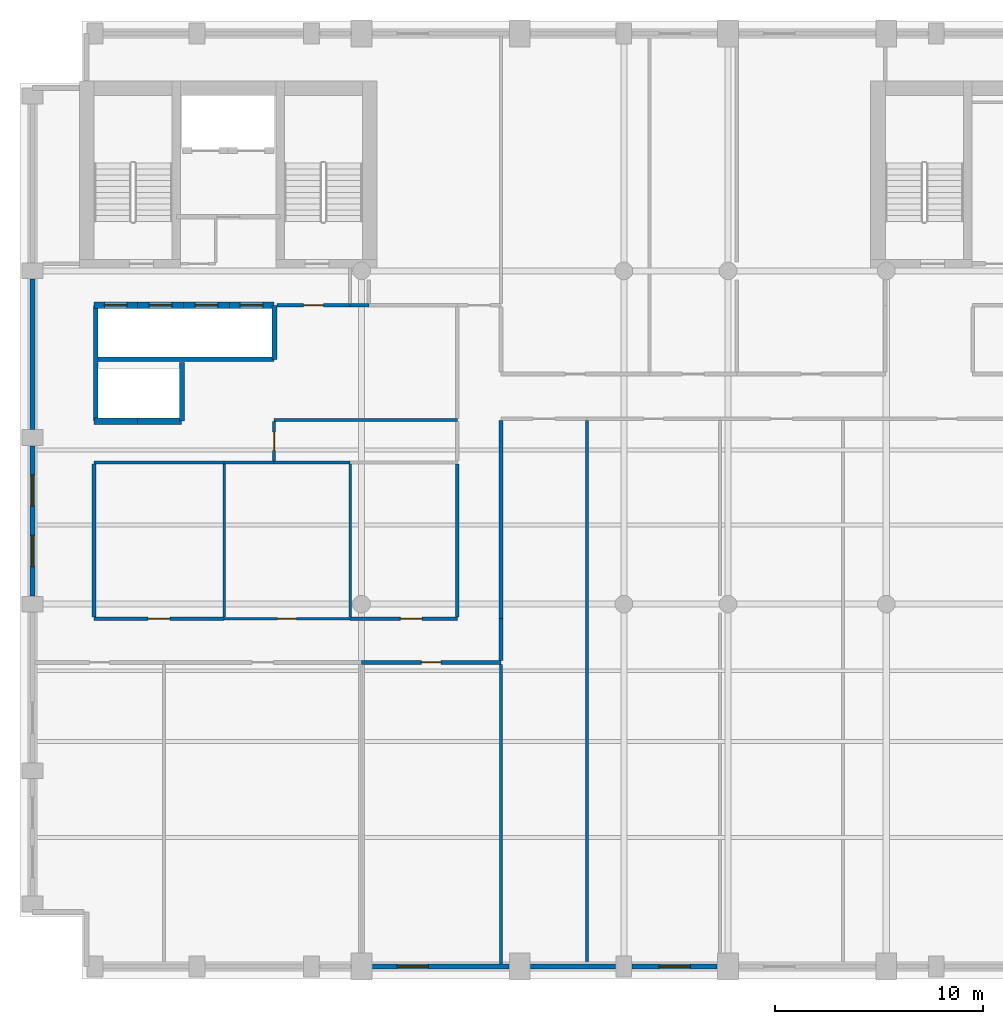
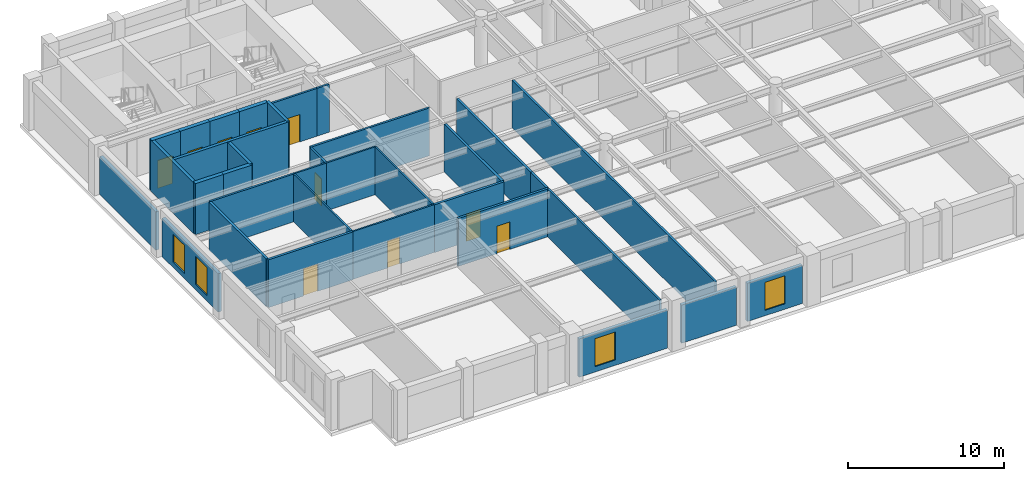
# One storey, part 3 of 8: 34 walls, 10 doors, 4 windows, 14 openings.
"""IFC4 building model written with IfcOpenShell, lengths in metres."""

from ifc_helpers import new_model, si_unit, direction, frame, frame_2d, origin, place, context, subcontext, project, spatial, rectangle, extrude, material, layer, layer_set, type_object, element, fill, save


model = new_model("IFC4")

# Units and contexts
model_context = context("Model", 3, precision=1e-05, world=origin(), true_north=direction((0.0, 1.0)))
body_context = subcontext(model_context, "Body", "Model", "MODEL_VIEW")
ifc_project = project(units=[si_unit("LENGTHUNIT", "METRE"), si_unit("AREAUNIT", "SQUARE_METRE"), si_unit("VOLUMEUNIT", "CUBIC_METRE"), si_unit("PLANEANGLEUNIT", "RADIAN"), si_unit("MASSUNIT", "GRAM", prefix="KILO")], contexts=[model_context])

# Site, building, storey
site_placement = place(None, origin())
site = spatial("IfcSite", under=ifc_project, at=site_placement, CompositionType="ELEMENT")
building_placement = place(site_placement, origin())
building = spatial("IfcBuilding", under=site, at=building_placement, Name="Sulina Concourse Tower", CompositionType="ELEMENT")
storey_placement = place(building_placement, frame((0.0, 0.0, 260.60009765625)))
storey = spatial("IfcBuildingStorey", under=building, at=storey_placement, Name="L63", CompositionType="ELEMENT", Elevation=260.60009765625)

# Walls
ifc_material_1 = material(Name="Concrete C50/60", Category="concrete")
ifc_layer_1 = layer(ifc_material_1, 0.219970703125)
ifc_layer_set_1 = layer_set([ifc_layer_1], Name="Concrete C50/60")
wall_type_1 = type_object("IfcWallType", Name="Core Lift Hoistway Divider Wall 220mm", PredefinedType="SOLIDWALL", material=ifc_layer_set_1)
wall_1_placement = place(storey_placement, frame((3.550048828125, 29.75, 0.0), z_axis=(0.0, 0.0, 1.0), x_axis=(1.0, 0.0, 0.0)))
element("IfcWall", 1, at=wall_1_placement, inside=storey, type_object=wall_type_1, Name="L63 shaft divider wall HW-LP3-S", PredefinedType="SOLIDWALL", context=body_context, shape_type="SweptSolid", body=[
    extrude(rectangle(XDim=8.64990234375, YDim=0.219970703125, at=frame_2d((4.324951171875, 0.0))), origin(), (0.0, 0.0, 1.0), 4.0),
])
wall_2_placement = place(storey_placement, frame((3.6298828125, 26.800048828125, 0.0), z_axis=(0.0, 0.0, 1.0), x_axis=(0.0, 1.0, 0.0)))
element("IfcWall", 2, at=wall_2_placement, inside=storey, type_object=wall_type_1, Name="L63 shaft divider wall HW-LP3-W", PredefinedType="SOLIDWALL", context=body_context, shape_type="SweptSolid", body=[
    extrude(rectangle(XDim=5.550048828125, YDim=0.219970703125, at=frame_2d((2.77490234375, 0.0))), origin(), (0.0, 0.0, 1.0), 4.0),
])
wall_3_placement = place(storey_placement, frame((7.780029296875, 26.800048828125, 0.0), z_axis=(0.0, 0.0, 1.0), x_axis=(0.0, 1.0, 0.0)))
element("IfcWall", 3, at=wall_3_placement, inside=storey, type_object=wall_type_1, Name="L63 shaft divider wall HW-EXP-E", PredefinedType="SOLIDWALL", context=body_context, shape_type="SweptSolid", body=[
    extrude(rectangle(XDim=2.800048828125, YDim=0.219970703125, at=frame_2d((1.39990234375, 0.0))), origin(), (0.0, 0.0, 1.0), 4.0),
])
wall_4_placement = place(storey_placement, frame((12.219970703125, 29.75, 0.0), z_axis=(0.0, 0.0, 1.0), x_axis=(0.0, 1.0, 0.0)))
element("IfcWall", 4, at=wall_4_placement, inside=storey, type_object=wall_type_1, Name="L63 shaft divider wall HW-LP3-E", PredefinedType="SOLIDWALL", context=body_context, shape_type="SweptSolid", body=[
    extrude(rectangle(XDim=2.60009765625, YDim=0.219970703125, at=frame_2d((1.300048828125, 0.0))), origin(), (0.0, 0.0, 1.0), 4.0),
])

# Wall, opening, door
ifc_material_2 = material(Name="Concrete C50/60", Category="concrete")
ifc_layer_2 = layer(ifc_material_2, 0.300048828125)
ifc_layer_set_2 = layer_set([ifc_layer_2], Name="Concrete C50/60")
wall_type_2 = type_object("IfcWallType", Name="Core Lift Hoistway Wall 300mm", PredefinedType="SOLIDWALL", material=ifc_layer_set_2)
wall_5_placement = place(storey_placement, frame((3.550048828125, 32.35009765625, 0.0), z_axis=(0.0, 0.0, 1.0), x_axis=(1.0, 0.0, 0.0)))
wall_5 = element("IfcWall", 5, at=wall_5_placement, inside=storey, type_object=wall_type_2, Name="L63 hoistway enclosure wall LP-09", PredefinedType="SOLIDWALL", context=body_context, shape_type="SweptSolid", body=[
    extrude(rectangle(XDim=2.099853515625, YDim=0.300048828125, at=frame_2d((1.0498046875, 0.0))), origin(), (0.0, 0.0, 1.0), 4.0),
])
opening_1_placement = place(wall_5_placement, frame((0.5, 0.0, 0.0)))
opening_1 = element("IfcOpeningElement", 6, at=opening_1_placement, cuts=wall_5, Name="Opening LD-01", PredefinedType="OPENING", context=body_context, shape_type="SweptSolid", body=[
    extrude(rectangle(XDim=1.10009765625, YDim=2.199951171875, at=frame_2d((0.550048828125, 1.10009765625))), frame((0.0, 0.159912109375, 0.0), z_axis=(0.0, -1.0, 0.0), x_axis=(1.0, 0.0, 0.0)), (0.0, 0.0, 1.0), 0.320068359375),
])
ifc_material_3 = material(Name="Stainless steel lift landing door", Category="steel")
ifc_layer_3 = layer(ifc_material_3, 0.050048828125)
ifc_layer_set_3 = layer_set([ifc_layer_3], Name="Stainless steel lift landing door")
door_type_1 = type_object("IfcDoorType", Name="Passenger Lift Sliding Landing Door 1100x2200", OperationType="SLIDING_TO_LEFT", PredefinedType="DOOR", material=ifc_layer_set_3)
door_1_placement = place(opening_1_placement, origin())
door_1 = element("IfcDoor", 7, at=door_1_placement, inside=storey, type_object=door_type_1, Name="L63 lift landing sliding door LP-09", OperationType="SLIDING_TO_LEFT", OverallHeight=2.199951171875, OverallWidth=1.10009765625, PredefinedType="DOOR", context=body_context, shape_type="SweptSolid", body=[
    extrude(rectangle(XDim=1.10009765625, YDim=2.199951171875, at=frame_2d((0.550048828125, 1.10009765625))), frame((0.0, 0.02490234375, 0.0), z_axis=(0.0, -1.0, 0.0), x_axis=(1.0, 0.0, 0.0)), (0.0, 0.0, 1.0), 0.050048828125),
])
fill(opening_1, door_1)

wall_6_placement = place(storey_placement, frame((5.64990234375, 32.35009765625, 0.0), z_axis=(0.0, 0.0, 1.0), x_axis=(1.0, 0.0, 0.0)))
wall_6 = element("IfcWall", 8, at=wall_6_placement, inside=storey, type_object=wall_type_2, Name="L63 hoistway enclosure wall LP-10", PredefinedType="SOLIDWALL", context=body_context, shape_type="SweptSolid", body=[
    extrude(rectangle(XDim=2.2001953125, YDim=0.300048828125, at=frame_2d((1.10009765625, 0.0))), origin(), (0.0, 0.0, 1.0), 4.0),
])
opening_2_placement = place(wall_6_placement, frame((0.550048828125, 0.0, 0.0)))
opening_2 = element("IfcOpeningElement", 9, at=opening_2_placement, cuts=wall_6, Name="Opening LD-01", PredefinedType="OPENING", context=body_context, shape_type="SweptSolid", body=[
    extrude(rectangle(XDim=1.10009765625, YDim=2.199951171875, at=frame_2d((0.550048828125, 1.10009765625))), frame((0.0, 0.159912109375, 0.0), z_axis=(0.0, -1.0, 0.0), x_axis=(1.0, 0.0, 0.0)), (0.0, 0.0, 1.0), 0.320068359375),
])
door_2_placement = place(opening_2_placement, origin())
door_2 = element("IfcDoor", 10, at=door_2_placement, inside=storey, type_object=door_type_1, Name="L63 lift landing sliding door LP-10", OperationType="SLIDING_TO_RIGHT", OverallHeight=2.199951171875, OverallWidth=1.10009765625, PredefinedType="DOOR", context=body_context, shape_type="SweptSolid", body=[
    extrude(rectangle(XDim=1.10009765625, YDim=2.199951171875, at=frame_2d((0.550048828125, 1.10009765625))), frame((0.0, 0.02490234375, 0.0), z_axis=(0.0, -1.0, 0.0), x_axis=(1.0, 0.0, 0.0)), (0.0, 0.0, 1.0), 0.050048828125),
])
fill(opening_2, door_2)

wall_7_placement = place(storey_placement, frame((7.85009765625, 32.35009765625, 0.0), z_axis=(0.0, 0.0, 1.0), x_axis=(1.0, 0.0, 0.0)))
wall_7 = element("IfcWall", 11, at=wall_7_placement, inside=storey, type_object=wall_type_2, Name="L63 hoistway enclosure wall LP-11", PredefinedType="SOLIDWALL", context=body_context, shape_type="SweptSolid", body=[
    extrude(rectangle(XDim=2.199951171875, YDim=0.300048828125, at=frame_2d((1.10009765625, 0.0))), origin(), (0.0, 0.0, 1.0), 4.0),
])
opening_3_placement = place(wall_7_placement, frame((0.550048828125, 0.0, 0.0)))
opening_3 = element("IfcOpeningElement", 12, at=opening_3_placement, cuts=wall_7, Name="Opening LD-01", PredefinedType="OPENING", context=body_context, shape_type="SweptSolid", body=[
    extrude(rectangle(XDim=1.10009765625, YDim=2.199951171875, at=frame_2d((0.550048828125, 1.10009765625))), frame((0.0, 0.159912109375, 0.0), z_axis=(0.0, -1.0, 0.0), x_axis=(1.0, 0.0, 0.0)), (0.0, 0.0, 1.0), 0.320068359375),
])
door_3_placement = place(opening_3_placement, origin())
door_3 = element("IfcDoor", 13, at=door_3_placement, inside=storey, type_object=door_type_1, Name="L63 lift landing sliding door LP-11", OperationType="SLIDING_TO_LEFT", OverallHeight=2.199951171875, OverallWidth=1.10009765625, PredefinedType="DOOR", context=body_context, shape_type="SweptSolid", body=[
    extrude(rectangle(XDim=1.10009765625, YDim=2.199951171875, at=frame_2d((0.550048828125, 1.10009765625))), frame((0.0, 0.02490234375, 0.0), z_axis=(0.0, -1.0, 0.0), x_axis=(1.0, 0.0, 0.0)), (0.0, 0.0, 1.0), 0.050048828125),
])
fill(opening_3, door_3)

wall_8_placement = place(storey_placement, frame((10.050048828125, 32.35009765625, 0.0), z_axis=(0.0, 0.0, 1.0), x_axis=(1.0, 0.0, 0.0)))
wall_8 = element("IfcWall", 14, at=wall_8_placement, inside=storey, type_object=wall_type_2, Name="L63 hoistway enclosure wall LP-12", PredefinedType="SOLIDWALL", context=body_context, shape_type="SweptSolid", body=[
    extrude(rectangle(XDim=2.14990234375, YDim=0.300048828125, at=frame_2d((1.074951171875, 0.0))), origin(), (0.0, 0.0, 1.0), 4.0),
])
opening_4_placement = place(wall_8_placement, frame((0.52490234375, 0.0, 0.0)))
opening_4 = element("IfcOpeningElement", 15, at=opening_4_placement, cuts=wall_8, Name="Opening LD-01", PredefinedType="OPENING", context=body_context, shape_type="SweptSolid", body=[
    extrude(rectangle(XDim=1.10009765625, YDim=2.199951171875, at=frame_2d((0.550048828125, 1.10009765625))), frame((0.0, 0.159912109375, 0.0), z_axis=(0.0, -1.0, 0.0), x_axis=(1.0, 0.0, 0.0)), (0.0, 0.0, 1.0), 0.320068359375),
])
door_4_placement = place(opening_4_placement, origin())
door_4 = element("IfcDoor", 16, at=door_4_placement, inside=storey, type_object=door_type_1, Name="L63 lift landing sliding door LP-12", OperationType="SLIDING_TO_RIGHT", OverallHeight=2.199951171875, OverallWidth=1.10009765625, PredefinedType="DOOR", context=body_context, shape_type="SweptSolid", body=[
    extrude(rectangle(XDim=1.10009765625, YDim=2.199951171875, at=frame_2d((0.550048828125, 1.10009765625))), frame((0.0, 0.02490234375, 0.0), z_axis=(0.0, -1.0, 0.0), x_axis=(1.0, 0.0, 0.0)), (0.0, 0.0, 1.0), 0.050048828125),
])
fill(opening_4, door_4)

# Walls
wall_9_placement = place(storey_placement, frame((5.64990234375, 26.780029296875, 0.0), z_axis=(0.0, 0.0, 1.0), x_axis=(-1.0, 0.0, 0.0)))
element("IfcWall", 17, at=wall_9_placement, inside=storey, type_object=wall_type_2, Name="L63 hoistway enclosure wall EXP-1", PredefinedType="SOLIDWALL", context=body_context, shape_type="SweptSolid", body=[
    extrude(rectangle(XDim=2.099853515625, YDim=0.300048828125, at=frame_2d((1.0498046875, 0.0))), origin(), (0.0, 0.0, 1.0), 4.0),
])
wall_10_placement = place(storey_placement, frame((7.75, 26.780029296875, 0.0), z_axis=(0.0, 0.0, 1.0), x_axis=(-1.0, 0.0, 0.0)))
element("IfcWall", 18, at=wall_10_placement, inside=storey, type_object=wall_type_2, Name="L63 hoistway enclosure wall EXP-2", PredefinedType="SOLIDWALL", context=body_context, shape_type="SweptSolid", body=[
    extrude(rectangle(XDim=2.10009765625, YDim=0.300048828125, at=frame_2d((1.050048828125, 0.0))), origin(), (0.0, 0.0, 1.0), 4.0),
])

# Wall, opening, window
ifc_material_4 = material(Name="Precast concrete C50/60", Category="concrete")
ifc_layer_4 = layer(ifc_material_4, 0.239990234375)
ifc_layer_set_4 = layer_set([ifc_layer_4], Name="Precast concrete C50/60")
wall_type_3 = type_object("IfcWallType", Name="Crown Precast Masonry-Frame Facade Wall 240mm", PredefinedType="SOLIDWALL", material=ifc_layer_set_4)
wall_11_placement = place(storey_placement, frame((23.47998046875, 0.60009765625, 0.0), z_axis=(0.0, 0.0, 1.0), x_axis=(-1.0, 0.0, 0.0)))
wall_11 = element("IfcWall", 19, at=wall_11_placement, inside=storey, type_object=wall_type_3, Name="L63 exterior precast wall S4", PredefinedType="SOLIDWALL", context=body_context, shape_type="SweptSolid", body=[
    extrude(rectangle(XDim=6.56005859375, YDim=0.239990234375, at=frame_2d((3.280029296875, 0.0))), origin(), (0.0, 0.0, 1.0), 3.0),
])
opening_5_placement = place(wall_11_placement, frame((3.873291015625, 0.0, 0.419921875)))
opening_5 = element("IfcOpeningElement", 20, at=opening_5_placement, cuts=wall_11, Name="Opening WN-71", PredefinedType="OPENING", context=body_context, shape_type="SweptSolid", body=[
    extrude(rectangle(XDim=1.5, YDim=2.199951171875, at=frame_2d((0.75, 1.10009765625))), frame((0.0, 0.1298828125, 0.0), z_axis=(0.0, -1.0, 0.0), x_axis=(1.0, 0.0, 0.0)), (0.0, 0.0, 1.0), 0.260009765625),
])
ifc_material_5 = material(Name="Low-E solar double glazing in bronze aluminium", Category="aluminium")
window_type = type_object("IfcWindowType", Name="Punched Masonry-Frame Window 1500x2200", PartitioningType="SINGLE_PANEL", PredefinedType="WINDOW", material=ifc_material_5)
window_1_placement = place(opening_5_placement, origin())
window_1 = element("IfcWindow", 21, at=window_1_placement, inside=storey, type_object=window_type, Name="L63 punched window S4-1", OverallHeight=2.199951171875, OverallWidth=1.5, PartitioningType="SINGLE_PANEL", PredefinedType="WINDOW", context=body_context, shape_type="SweptSolid", body=[
    extrude(rectangle(XDim=1.5, YDim=2.199951171875, at=frame_2d((0.75, 1.10009765625))), frame((0.0, 0.030029296875, 0.0), z_axis=(0.0, -1.0, 0.0), x_axis=(1.0, 0.0, 0.0)), (0.0, 0.0, 1.0), 0.06005859375),
])
fill(opening_5, window_1)

# Wall
wall_12_placement = place(storey_placement, frame((28.60498046875, 0.60009765625, 0.0), z_axis=(0.0, 0.0, 1.0), x_axis=(-1.0, 0.0, 0.0)))
element("IfcWall", 22, at=wall_12_placement, inside=storey, type_object=wall_type_3, Name="L63 exterior precast wall S5", PredefinedType="SOLIDWALL", context=body_context, shape_type="SweptSolid", body=[
    extrude(rectangle(XDim=4.0849609375, YDim=0.239990234375, at=frame_2d((2.04248046875, 0.0))), origin(), (0.0, 0.0, 1.0), 3.0),
])

# Wall, opening, window
wall_13_placement = place(storey_placement, frame((33.47998046875, 0.60009765625, 0.0), z_axis=(0.0, 0.0, 1.0), x_axis=(-1.0, 0.0, 0.0)))
wall_13 = element("IfcWall", 23, at=wall_13_placement, inside=storey, type_object=wall_type_3, Name="L63 exterior precast wall S6", PredefinedType="SOLIDWALL", context=body_context, shape_type="SweptSolid", body=[
    extrude(rectangle(XDim=4.0849609375, YDim=0.239990234375, at=frame_2d((2.04248046875, 0.0))), origin(), (0.0, 0.0, 1.0), 3.0),
])
opening_6_placement = place(wall_13_placement, frame((1.29248046875, 0.0, 0.419921875)))
opening_6 = element("IfcOpeningElement", 24, at=opening_6_placement, cuts=wall_13, Name="Opening WN-71", PredefinedType="OPENING", context=body_context, shape_type="SweptSolid", body=[
    extrude(rectangle(XDim=1.5, YDim=2.199951171875, at=frame_2d((0.75, 1.10009765625))), frame((0.0, 0.1298828125, 0.0), z_axis=(0.0, -1.0, 0.0), x_axis=(1.0, 0.0, 0.0)), (0.0, 0.0, 1.0), 0.260009765625),
])
window_2_placement = place(opening_6_placement, origin())
window_2 = element("IfcWindow", 25, at=window_2_placement, inside=storey, type_object=window_type, Name="L63 punched window S6-1", OverallHeight=2.199951171875, OverallWidth=1.5, PartitioningType="SINGLE_PANEL", PredefinedType="WINDOW", context=body_context, shape_type="SweptSolid", body=[
    extrude(rectangle(XDim=1.5, YDim=2.199951171875, at=frame_2d((0.75, 1.10009765625))), frame((0.0, 0.030029296875, 0.0), z_axis=(0.0, -1.0, 0.0), x_axis=(1.0, 0.0, 0.0)), (0.0, 0.0, 1.0), 0.06005859375),
])
fill(opening_6, window_2)

# Wall, openings, windows
wall_14_placement = place(storey_placement, frame((0.60009765625, 18.39501953125, 0.0), z_axis=(0.0, 0.0, 1.0), x_axis=(0.0, 1.0, 0.0)))
wall_14 = element("IfcWall", 26, at=wall_14_placement, inside=storey, type_object=wall_type_3, Name="L63 exterior precast wall W3", PredefinedType="SOLIDWALL", context=body_context, shape_type="SweptSolid", body=[
    extrude(rectangle(XDim=7.2099609375, YDim=0.239990234375, at=frame_2d((3.60498046875, 0.0))), origin(), (0.0, 0.0, 1.0), 3.0),
])
opening_7_placement = place(wall_14_placement, frame((1.4033203125, 0.0, 0.419921875)))
opening_7 = element("IfcOpeningElement", 27, at=opening_7_placement, cuts=wall_14, Name="Opening WN-71", PredefinedType="OPENING", context=body_context, shape_type="SweptSolid", body=[
    extrude(rectangle(XDim=1.5, YDim=2.199951171875, at=frame_2d((0.75, 1.10009765625))), frame((0.0, 0.1298828125, 0.0), z_axis=(0.0, -1.0, 0.0), x_axis=(1.0, 0.0, 0.0)), (0.0, 0.0, 1.0), 0.260009765625),
])
opening_8_placement = place(wall_14_placement, frame((4.306640625, 0.0, 0.419921875)))
opening_8 = element("IfcOpeningElement", 28, at=opening_8_placement, cuts=wall_14, Name="Opening WN-71", PredefinedType="OPENING", context=body_context, shape_type="SweptSolid", body=[
    extrude(rectangle(XDim=1.5, YDim=2.199951171875, at=frame_2d((0.75, 1.10009765625))), frame((0.0, 0.1298828125, 0.0), z_axis=(0.0, -1.0, 0.0), x_axis=(1.0, 0.0, 0.0)), (0.0, 0.0, 1.0), 0.260009765625),
])
window_3_placement = place(opening_7_placement, origin())
window_3 = element("IfcWindow", 29, at=window_3_placement, inside=storey, type_object=window_type, Name="L63 punched window W3-1", OverallHeight=2.199951171875, OverallWidth=1.5, PartitioningType="SINGLE_PANEL", PredefinedType="WINDOW", context=body_context, shape_type="SweptSolid", body=[
    extrude(rectangle(XDim=1.5, YDim=2.199951171875, at=frame_2d((0.75, 1.10009765625))), frame((0.0, 0.030029296875, 0.0), z_axis=(0.0, -1.0, 0.0), x_axis=(1.0, 0.0, 0.0)), (0.0, 0.0, 1.0), 0.06005859375),
])
fill(opening_7, window_3)
window_4_placement = place(opening_8_placement, origin())
window_4 = element("IfcWindow", 30, at=window_4_placement, inside=storey, type_object=window_type, Name="L63 punched window W3-2", OverallHeight=2.199951171875, OverallWidth=1.5, PartitioningType="SINGLE_PANEL", PredefinedType="WINDOW", context=body_context, shape_type="SweptSolid", body=[
    extrude(rectangle(XDim=1.5, YDim=2.199951171875, at=frame_2d((0.75, 1.10009765625))), frame((0.0, 0.030029296875, 0.0), z_axis=(0.0, -1.0, 0.0), x_axis=(1.0, 0.0, 0.0)), (0.0, 0.0, 1.0), 0.06005859375),
])
fill(opening_8, window_4)

# Walls
wall_15_placement = place(storey_placement, frame((0.60009765625, 26.39501953125, 0.0), z_axis=(0.0, 0.0, 1.0), x_axis=(0.0, 1.0, 0.0)))
element("IfcWall", 31, at=wall_15_placement, inside=storey, type_object=wall_type_3, Name="L63 exterior precast wall W4", PredefinedType="SOLIDWALL", context=body_context, shape_type="SweptSolid", body=[
    extrude(rectangle(XDim=7.2099609375, YDim=0.239990234375, at=frame_2d((3.60498046875, 0.0))), origin(), (0.0, 0.0, 1.0), 3.0),
])
ifc_material_6 = material(Name="Gypsum board on steel stud", Category="steel")
ifc_layer_5 = layer(ifc_material_6, 0.14990234375)
ifc_layer_set_5 = layer_set([ifc_layer_5], Name="Gypsum board on steel stud")
wall_type_4 = type_object("IfcWallType", Name="Inter-Tenancy Acoustic Partition 150mm", PredefinedType="PARTITIONING", material=ifc_layer_set_5)
wall_16_placement = place(storey_placement, frame((3.550048828125, 24.800048828125, 0.0), z_axis=(0.0, 0.0, 1.0), x_axis=(1.0, 0.0, 0.0)))
element("IfcWall", 32, at=wall_16_placement, inside=storey, type_object=wall_type_4, Name="L63 interior partition 007", PredefinedType="PARTITIONING", context=body_context, shape_type="SweptSolid", body=[
    extrude(rectangle(XDim=6.25, YDim=0.14990234375, at=frame_2d((3.125, 0.0))), origin(), (0.0, 0.0, 1.0), 3.75),
])
wall_17_placement = place(storey_placement, frame((12.199951171875, 26.85009765625, 0.0), z_axis=(0.0, 0.0, 1.0), x_axis=(1.0, 0.0, 0.0)))
element("IfcWall", 33, at=wall_17_placement, inside=storey, type_object=wall_type_4, Name="L63 interior partition 011", PredefinedType="PARTITIONING", context=body_context, shape_type="SweptSolid", body=[
    extrude(rectangle(XDim=8.800048828125, YDim=0.14990234375, at=frame_2d((4.39990234375, 0.0))), origin(), (0.0, 0.0, 1.0), 3.75),
])

# Wall, opening, door
wall_18_placement = place(storey_placement, frame((12.330078125, 32.35009765625, 0.0), z_axis=(0.0, 0.0, 1.0), x_axis=(1.0, 0.0, 0.0)))
wall_18 = element("IfcWall", 34, at=wall_18_placement, inside=storey, type_object=wall_type_4, Name="L63 interior partition 021", PredefinedType="PARTITIONING", context=body_context, shape_type="SweptSolid", body=[
    extrude(rectangle(XDim=3.52001953125, YDim=0.14990234375, at=frame_2d((1.760009765625, 0.0))), origin(), (0.0, 0.0, 1.0), 3.75),
])
opening_9_placement = place(wall_18_placement, frame((1.284912109375, 0.0, 0.0)))
opening_9 = element("IfcOpeningElement", 35, at=opening_9_placement, cuts=wall_18, Name="Opening DR-19", PredefinedType="OPENING", context=body_context, shape_type="SweptSolid", body=[
    extrude(rectangle(XDim=0.949951171875, YDim=2.14990234375, at=frame_2d((0.47509765625, 1.074951171875))), frame((0.0, 0.0849609375, 0.0), z_axis=(0.0, -1.0, 0.0), x_axis=(1.0, 0.0, 0.0)), (0.0, 0.0, 1.0), 0.169921875),
])
ifc_material_7 = material(Name="Oak-veneered acoustic timber leaf", Category="wood")
ifc_layer_6 = layer(ifc_material_7, 0.050048828125)
ifc_layer_set_6 = layer_set([ifc_layer_6], Name="Oak-veneered acoustic timber leaf")
door_type_2 = type_object("IfcDoorType", Name="Cellular Office & Meeting Door 950x2150", OperationType="NOTDEFINED", PredefinedType="DOOR", material=ifc_layer_set_6)
door_5_placement = place(opening_9_placement, origin())
door_5 = element("IfcDoor", 36, at=door_5_placement, inside=storey, type_object=door_type_2, Name="L63 interior door L63-MR-MRG2", OperationType="SINGLE_SWING_RIGHT", OverallHeight=2.14990234375, OverallWidth=0.949951171875, PredefinedType="DOOR", context=body_context, shape_type="SweptSolid", body=[
    extrude(rectangle(XDim=0.949951171875, YDim=2.14990234375, at=frame_2d((0.47509765625, 1.074951171875))), frame((0.0, 0.02490234375, 0.0), z_axis=(0.0, -1.0, 0.0), x_axis=(1.0, 0.0, 0.0)), (0.0, 0.0, 1.0), 0.050048828125),
])
fill(opening_9, door_5)

# Wall
wall_19_placement = place(storey_placement, frame((15.85009765625, 32.35009765625, 0.0), z_axis=(0.0, 0.0, 1.0), x_axis=(1.0, 0.0, 0.0)))
element("IfcWall", 37, at=wall_19_placement, inside=storey, type_object=wall_type_4, Name="L63 interior partition 022", PredefinedType="PARTITIONING", context=body_context, shape_type="SweptSolid", body=[
    extrude(rectangle(XDim=0.89990234375, YDim=0.14990234375, at=frame_2d((0.449951171875, 0.0))), origin(), (0.0, 0.0, 1.0), 3.75),
])

# Wall, opening, door
wall_20_placement = place(storey_placement, frame((12.199951171875, 24.862548828125, 0.0), z_axis=(0.0, 0.0, 1.0), x_axis=(0.0, 1.0, 0.0)))
wall_20 = element("IfcWall", 38, at=wall_20_placement, inside=storey, type_object=wall_type_4, Name="L63 interior partition 035", PredefinedType="PARTITIONING", context=body_context, shape_type="SweptSolid", body=[
    extrude(rectangle(XDim=1.912353515625, YDim=0.14990234375, at=frame_2d((0.9560546875, 0.0))), origin(), (0.0, 0.0, 1.0), 3.75),
])
opening_10_placement = place(wall_20_placement, frame((0.51611328125, 0.0, 0.0)))
opening_10 = element("IfcOpeningElement", 39, at=opening_10_placement, cuts=wall_20, Name="Opening DR-38", PredefinedType="OPENING", context=body_context, shape_type="SweptSolid", body=[
    extrude(rectangle(XDim=0.8798828125, YDim=2.10009765625, at=frame_2d((0.43994140625, 1.050048828125))), frame((0.0, 0.0849609375, 0.0), z_axis=(0.0, -1.0, 0.0), x_axis=(1.0, 0.0, 0.0)), (0.0, 0.0, 1.0), 0.169921875),
])
ifc_material_8 = material(Name="Galvanised steel acoustic fire leaf", Category="steel")
ifc_layer_7 = layer(ifc_material_8, 0.050048828125)
ifc_layer_set_7 = layer_set([ifc_layer_7], Name="Galvanised steel acoustic fire leaf")
door_type_3 = type_object("IfcDoorType", Name="Service Riser Fire Door 880x2100", OperationType="NOTDEFINED", PredefinedType="DOOR", material=ifc_layer_set_7)
door_6_placement = place(opening_10_placement, origin())
door_6 = element("IfcDoor", 40, at=door_6_placement, inside=storey, type_object=door_type_3, Name="L63 interior door L63-MR-MRG1", OperationType="SINGLE_SWING_LEFT", OverallHeight=2.10009765625, OverallWidth=0.8798828125, PredefinedType="DOOR", context=body_context, shape_type="SweptSolid", body=[
    extrude(rectangle(XDim=0.8798828125, YDim=2.10009765625, at=frame_2d((0.43994140625, 1.050048828125))), frame((0.0, 0.02490234375, 0.0), z_axis=(0.0, -1.0, 0.0), x_axis=(1.0, 0.0, 0.0)), (0.0, 0.0, 1.0), 0.050048828125),
])
fill(opening_10, door_6)

# Walls
wall_21_placement = place(storey_placement, frame((23.10009765625, 0.719970703125, 0.0), z_axis=(0.0, 0.0, 1.0), x_axis=(0.0, 1.0, 0.0)))
element("IfcWall", 41, at=wall_21_placement, inside=storey, type_object=wall_type_4, Name="L63 interior partition 043", PredefinedType="PARTITIONING", context=body_context, shape_type="SweptSolid", body=[
    extrude(rectangle(XDim=14.39013671875, YDim=0.14990234375, at=frame_2d((7.195068359375, 0.0))), origin(), (0.0, 0.0, 1.0), 3.75),
])
wall_22_placement = place(storey_placement, frame((27.219970703125, 0.719970703125, 0.0), z_axis=(0.0, 0.0, 1.0), x_axis=(0.0, 1.0, 0.0)))
element("IfcWall", 42, at=wall_22_placement, inside=storey, type_object=wall_type_4, Name="L63 interior partition 048", PredefinedType="PARTITIONING", context=body_context, shape_type="SweptSolid", body=[
    extrude(rectangle(XDim=26.090087890625, YDim=0.14990234375, at=frame_2d((13.044921875, 0.0))), origin(), (0.0, 0.0, 1.0), 3.75),
])

# Wall, opening, door
ifc_material_9 = material(Name="Gypsum board on steel stud", Category="steel")
ifc_layer_8 = layer(ifc_material_9, 0.179931640625)
ifc_layer_set_8 = layer_set([ifc_layer_8], Name="Gypsum board on steel stud")
wall_type_5 = type_object("IfcWallType", Name="Protected Corridor & Riser Partition 180mm", PredefinedType="PARTITIONING", material=ifc_layer_set_8)
wall_23_placement = place(storey_placement, frame((16.39990234375, 15.199951171875, 0.0), z_axis=(0.0, 0.0, 1.0), x_axis=(1.0, 0.0, 0.0)))
wall_23 = element("IfcWall", 43, at=wall_23_placement, inside=storey, type_object=wall_type_5, Name="L63 interior partition 003", PredefinedType="PARTITIONING", context=body_context, shape_type="SweptSolid", body=[
    extrude(rectangle(XDim=6.7001953125, YDim=0.179931640625, at=frame_2d((3.35009765625, 0.0))), origin(), (0.0, 0.0, 1.0), 3.75),
])
opening_11_placement = place(wall_23_placement, frame((2.875, 0.0, 0.0)))
opening_11 = element("IfcOpeningElement", 44, at=opening_11_placement, cuts=wall_23, Name="Opening DR-19", PredefinedType="OPENING", context=body_context, shape_type="SweptSolid", body=[
    extrude(rectangle(XDim=0.949951171875, YDim=2.14990234375, at=frame_2d((0.47509765625, 1.074951171875))), frame((0.0, 0.099853515625, 0.0), z_axis=(0.0, -1.0, 0.0), x_axis=(1.0, 0.0, 0.0)), (0.0, 0.0, 1.0), 0.199951171875),
])
door_7_placement = place(opening_11_placement, origin())
door_7 = element("IfcDoor", 45, at=door_7_placement, inside=storey, type_object=door_type_2, Name="L63 interior door L63-S03", OperationType="SINGLE_SWING_LEFT", OverallHeight=2.14990234375, OverallWidth=0.949951171875, PredefinedType="DOOR", context=body_context, shape_type="SweptSolid", body=[
    extrude(rectangle(XDim=0.949951171875, YDim=2.14990234375, at=frame_2d((0.47509765625, 1.074951171875))), frame((0.0, 0.02490234375, 0.0), z_axis=(0.0, -1.0, 0.0), x_axis=(1.0, 0.0, 0.0)), (0.0, 0.0, 1.0), 0.050048828125),
])
fill(opening_11, door_7)

wall_24_placement = place(storey_placement, frame((3.550048828125, 17.300048828125, 0.0), z_axis=(0.0, 0.0, 1.0), x_axis=(1.0, 0.0, 0.0)))
wall_24 = element("IfcWall", 46, at=wall_24_placement, inside=storey, type_object=wall_type_5, Name="L63 interior partition 004", PredefinedType="PARTITIONING", context=body_context, shape_type="SweptSolid", body=[
    extrude(rectangle(XDim=6.25, YDim=0.179931640625, at=frame_2d((3.125, 0.0))), origin(), (0.0, 0.0, 1.0), 3.75),
])
opening_12_placement = place(wall_24_placement, frame((2.60009765625, 0.0, 0.0)))
opening_12 = element("IfcOpeningElement", 47, at=opening_12_placement, cuts=wall_24, Name="Opening DR-37", PredefinedType="OPENING", context=body_context, shape_type="SweptSolid", body=[
    extrude(rectangle(XDim=1.050048828125, YDim=2.14990234375, at=frame_2d((0.52490234375, 1.074951171875))), frame((0.0, 0.099853515625, 0.0), z_axis=(0.0, -1.0, 0.0), x_axis=(1.0, 0.0, 0.0)), (0.0, 0.0, 1.0), 0.199951171875),
])
ifc_material_10 = material(Name="Oak-veneered fire door leaf")
ifc_layer_9 = layer(ifc_material_10, 0.050048828125)
ifc_layer_set_9 = layer_set([ifc_layer_9], Name="Oak-veneered fire door leaf")
door_type_4 = type_object("IfcDoorType", Name="Tenant Suite Entrance Fire Door 1050x2150", OperationType="NOTDEFINED", PredefinedType="DOOR", material=ifc_layer_set_9)
door_8_placement = place(opening_12_placement, origin())
door_8 = element("IfcDoor", 48, at=door_8_placement, inside=storey, type_object=door_type_4, Name="L63 interior door L63-LR-MRG1", OperationType="SINGLE_SWING_RIGHT", OverallHeight=2.14990234375, OverallWidth=1.050048828125, PredefinedType="DOOR", context=body_context, shape_type="SweptSolid", body=[
    extrude(rectangle(XDim=1.050048828125, YDim=2.14990234375, at=frame_2d((0.52490234375, 1.074951171875))), frame((0.0, 0.02490234375, 0.0), z_axis=(0.0, -1.0, 0.0), x_axis=(1.0, 0.0, 0.0)), (0.0, 0.0, 1.0), 0.050048828125),
])
fill(opening_12, door_8)

wall_25_placement = place(storey_placement, frame((15.85009765625, 17.300048828125, 0.0), z_axis=(0.0, 0.0, 1.0), x_axis=(1.0, 0.0, 0.0)))
wall_25 = element("IfcWall", 49, at=wall_25_placement, inside=storey, type_object=wall_type_5, Name="L63 interior partition 006", PredefinedType="PARTITIONING", context=body_context, shape_type="SweptSolid", body=[
    extrude(rectangle(XDim=5.14990234375, YDim=0.179931640625, at=frame_2d((2.574951171875, 0.0))), origin(), (0.0, 0.0, 1.0), 3.75),
])
opening_13_placement = place(wall_25_placement, frame((2.409912109375, 0.0, 0.0)))
opening_13 = element("IfcOpeningElement", 50, at=opening_13_placement, cuts=wall_25, Name="Opening DR-37", PredefinedType="OPENING", context=body_context, shape_type="SweptSolid", body=[
    extrude(rectangle(XDim=1.050048828125, YDim=2.14990234375, at=frame_2d((0.52490234375, 1.074951171875))), frame((0.0, 0.099853515625, 0.0), z_axis=(0.0, -1.0, 0.0), x_axis=(1.0, 0.0, 0.0)), (0.0, 0.0, 1.0), 0.199951171875),
])
door_9_placement = place(opening_13_placement, origin())
door_9 = element("IfcDoor", 51, at=door_9_placement, inside=storey, type_object=door_type_4, Name="L63 interior door L63-NZ-PKW", OperationType="SINGLE_SWING_RIGHT", OverallHeight=2.14990234375, OverallWidth=1.050048828125, PredefinedType="DOOR", context=body_context, shape_type="SweptSolid", body=[
    extrude(rectangle(XDim=1.050048828125, YDim=2.14990234375, at=frame_2d((0.52490234375, 1.074951171875))), frame((0.0, 0.02490234375, 0.0), z_axis=(0.0, -1.0, 0.0), x_axis=(1.0, 0.0, 0.0)), (0.0, 0.0, 1.0), 0.050048828125),
])
fill(opening_13, door_9)

# Walls
for number, where, z_axis, x_axis, name in (
    (52, (3.550048828125, 17.389892578125, 0.0), (0.0, 0.0, 1.0), (0.0, 1.0, 0.0), "L63 interior partition 031"),
    (53, (21.0, 17.389892578125, 0.0), (0.0, 0.0, 1.0), (0.0, 1.0, 0.0), "L63 interior partition 040"),
):
    element("IfcWall", number, at=place(storey_placement, frame(where, z_axis=z_axis, x_axis=x_axis)), inside=storey, type_object=wall_type_5, Name=name, PredefinedType="PARTITIONING", context=body_context, shape_type="SweptSolid", body=[
        extrude(rectangle(XDim=7.335205078125, YDim=0.179931640625, at=frame_2d((3.66748046875, 0.0))), origin(), (0.0, 0.0, 1.0), 3.75),
    ])
wall_26_placement = place(storey_placement, frame((23.10009765625, 15.2900390625, 0.0), z_axis=(0.0, 0.0, 1.0), x_axis=(0.0, 1.0, 0.0)))
element("IfcWall", 54, at=wall_26_placement, inside=storey, type_object=wall_type_5, Name="L63 interior partition 044", PredefinedType="PARTITIONING", context=body_context, shape_type="SweptSolid", body=[
    extrude(rectangle(XDim=2.010009765625, YDim=0.179931640625, at=frame_2d((1.0048828125, 0.0))), origin(), (0.0, 0.0, 1.0), 3.75),
])
wall_27_placement = place(storey_placement, frame((23.10009765625, 17.300048828125, 0.0), z_axis=(0.0, 0.0, 1.0), x_axis=(0.0, 1.0, 0.0)))
element("IfcWall", 55, at=wall_27_placement, inside=storey, type_object=wall_type_5, Name="L63 interior partition 045", PredefinedType="PARTITIONING", context=body_context, shape_type="SweptSolid", body=[
    extrude(rectangle(XDim=9.510009765625, YDim=0.179931640625, at=frame_2d((4.7548828125, 0.0))), origin(), (0.0, 0.0, 1.0), 3.75),
])

# Wall, opening, door
ifc_material_11 = material(Name="Gypsum board on steel stud", Category="steel")
ifc_layer_10 = layer(ifc_material_11, 0.125)
ifc_layer_set_10 = layer_set([ifc_layer_10], Name="Gypsum board on steel stud")
wall_type_6 = type_object("IfcWallType", Name="Wet-Area Moisture-Resistant Partition 125mm", PredefinedType="PARTITIONING", material=ifc_layer_set_10)
wall_28_placement = place(storey_placement, frame((9.800048828125, 17.300048828125, 0.0), z_axis=(0.0, 0.0, 1.0), x_axis=(1.0, 0.0, 0.0)))
wall_28 = element("IfcWall", 56, at=wall_28_placement, inside=storey, type_object=wall_type_6, Name="L63 interior partition 005", PredefinedType="PARTITIONING", context=body_context, shape_type="SweptSolid", body=[
    extrude(rectangle(XDim=6.050048828125, YDim=0.125, at=frame_2d((3.02490234375, 0.0))), origin(), (0.0, 0.0, 1.0), 3.75),
])
opening_14_placement = place(wall_28_placement, frame((2.574951171875, 0.0, 0.0)))
opening_14 = element("IfcOpeningElement", 57, at=opening_14_placement, cuts=wall_28, Name="Opening DR-21", PredefinedType="OPENING", context=body_context, shape_type="SweptSolid", body=[
    extrude(rectangle(XDim=0.89990234375, YDim=2.10009765625, at=frame_2d((0.449951171875, 1.050048828125))), frame((0.0, 0.072509765625, 0.0), z_axis=(0.0, -1.0, 0.0), x_axis=(1.0, 0.0, 0.0)), (0.0, 0.0, 1.0), 0.14501953125),
])
ifc_material_12 = material(Name="Oak-veneered fire door leaf")
ifc_layer_11 = layer(ifc_material_12, 0.050048828125)
ifc_layer_set_11 = layer_set([ifc_layer_11], Name="Oak-veneered fire door leaf")
door_type_5 = type_object("IfcDoorType", Name="Restroom & Service Door 900x2100", OperationType="NOTDEFINED", PredefinedType="DOOR", material=ifc_layer_set_11)
door_10_placement = place(opening_14_placement, origin())
door_10 = element("IfcDoor", 58, at=door_10_placement, inside=storey, type_object=door_type_5, Name="L63 interior door L63-LR-MRG2", OperationType="SINGLE_SWING_LEFT", OverallHeight=2.10009765625, OverallWidth=0.89990234375, PredefinedType="DOOR", context=body_context, shape_type="SweptSolid", body=[
    extrude(rectangle(XDim=0.89990234375, YDim=2.10009765625, at=frame_2d((0.449951171875, 1.050048828125))), frame((0.0, 0.02490234375, 0.0), z_axis=(0.0, -1.0, 0.0), x_axis=(1.0, 0.0, 0.0)), (0.0, 0.0, 1.0), 0.050048828125),
])
fill(opening_14, door_10)

# Walls
wall_29_placement = place(storey_placement, frame((9.800048828125, 24.800048828125, 0.0), z_axis=(0.0, 0.0, 1.0), x_axis=(1.0, 0.0, 0.0)))
element("IfcWall", 59, at=wall_29_placement, inside=storey, type_object=wall_type_6, Name="L63 interior partition 008", PredefinedType="PARTITIONING", context=body_context, shape_type="SweptSolid", body=[
    extrude(rectangle(XDim=2.39990234375, YDim=0.125, at=frame_2d((1.199951171875, 0.0))), origin(), (0.0, 0.0, 1.0), 3.75),
])
wall_30_placement = place(storey_placement, frame((12.199951171875, 24.800048828125, 0.0), z_axis=(0.0, 0.0, 1.0), x_axis=(1.0, 0.0, 0.0)))
element("IfcWall", 60, at=wall_30_placement, inside=storey, type_object=wall_type_6, Name="L63 interior partition 009", PredefinedType="PARTITIONING", context=body_context, shape_type="SweptSolid", body=[
    extrude(rectangle(XDim=3.650146484375, YDim=0.125, at=frame_2d((1.8251953125, 0.0))), origin(), (0.0, 0.0, 1.0), 3.75),
])
for number, where, z_axis, x_axis, name in (
    (61, (9.800048828125, 17.389892578125, 0.0), (0.0, 0.0, 1.0), (0.0, 1.0, 0.0), "L63 interior partition 034"),
    (62, (15.85009765625, 17.389892578125, 0.0), (0.0, 0.0, 1.0), (0.0, 1.0, 0.0), "L63 interior partition 036"),
):
    element("IfcWall", number, at=place(storey_placement, frame(where, z_axis=z_axis, x_axis=x_axis)), inside=storey, type_object=wall_type_6, Name=name, PredefinedType="PARTITIONING", context=body_context, shape_type="SweptSolid", body=[
        extrude(rectangle(XDim=7.335205078125, YDim=0.125, at=frame_2d((3.66748046875, 0.0))), origin(), (0.0, 0.0, 1.0), 3.75),
    ])

save(model, "model.ifc")
